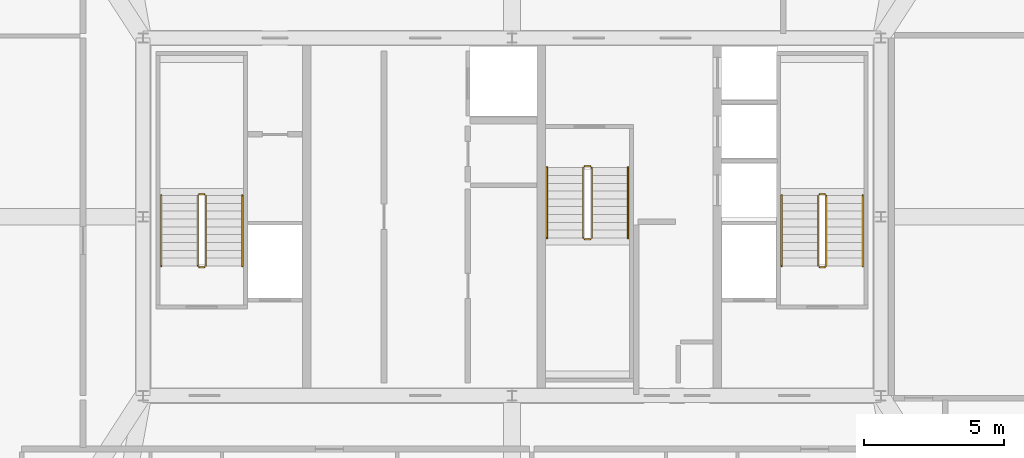
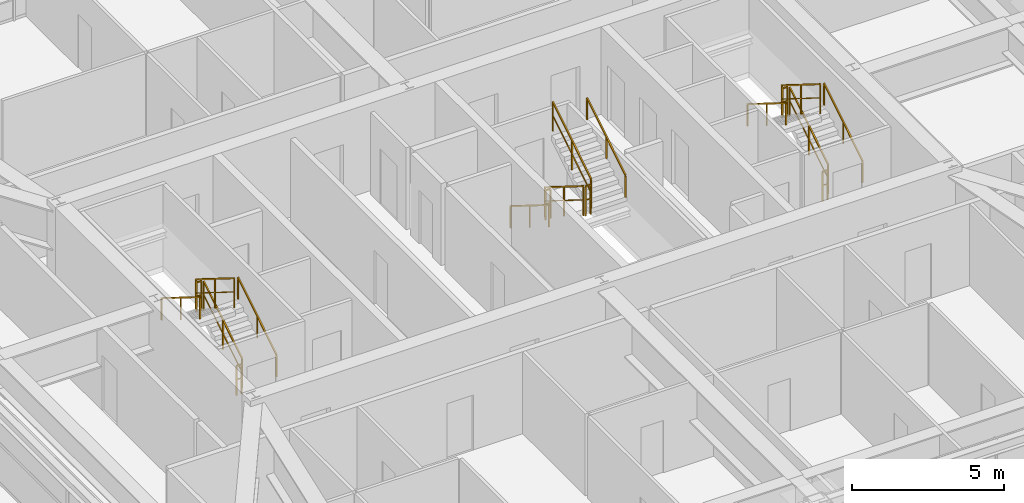
# One storey, part 33 of 33: 18 railings.
"""IFC4 building model written with IfcOpenShell, lengths in metres."""

from ifc_helpers import new_model, si_unit, direction, frame, origin, origin_2d, place, context, subcontext, project, spatial, rectangle, extrude, source, transform, mapped, material, layer, layer_set, type_object, element, save


model = new_model("IFC4")

# Units and contexts
model_context = context("Model", 3, precision=1e-05, world=origin(), true_north=direction((0.0, 1.0)))
body_context = subcontext(model_context, "Body", "Model", "MODEL_VIEW")
ifc_project = project(units=[si_unit("LENGTHUNIT", "METRE"), si_unit("AREAUNIT", "SQUARE_METRE"), si_unit("VOLUMEUNIT", "CUBIC_METRE"), si_unit("PLANEANGLEUNIT", "RADIAN"), si_unit("MASSUNIT", "GRAM", prefix="KILO"), si_unit("THERMODYNAMICTEMPERATUREUNIT", "KELVIN"), si_unit("POWERUNIT", "WATT")], contexts=[model_context])

# Site, building, storey
site_placement = place(None, origin())
site = spatial("IfcSite", under=ifc_project, at=site_placement, CompositionType="ELEMENT")
building_placement = place(site_placement, origin())
building = spatial("IfcBuilding", under=site, at=building_placement, Name="Yuzanri Waterfront Tower", CompositionType="ELEMENT")
storey_placement = place(building_placement, frame((0.0, 0.0, 282.10009765625)))
storey = spatial("IfcBuildingStorey", under=building, at=storey_placement, Name="L75", CompositionType="ELEMENT", Elevation=282.10009765625)

# Railings
ifc_material_1 = material(Name="Painted Galvanized Fire Steel", Category="steel")
ifc_layer_1 = layer(ifc_material_1, 0.06005859375)
ifc_layer_set_1 = layer_set([ifc_layer_1], Name="Painted Galvanized Fire Steel")
railing_type_1 = type_object("IfcRailingType", Name="Painted Steel Stairwell Guardrail 1120", PredefinedType="GUARDRAIL", material=ifc_layer_set_1)
shared_shape_1 = source(origin(), body_context, "Body", "SweptSolid", [
    extrude(rectangle(XDim=0.050048828125, YDim=0.050048828125, at=origin_2d()), frame((0.0, 0.0, 1.1748046875), z_axis=(-1.0, 0.0, 0.0), x_axis=(0.0, -1.0, 0.0)), (0.0, 0.0, 1.0), 0.199951171875),
    extrude(rectangle(XDim=0.035888671875, YDim=0.030029296875, at=origin_2d()), frame((0.0, 0.0, 0.6240234375), z_axis=(-1.0, 0.0, 0.0), x_axis=(0.0, -1.0, 0.0)), (0.0, 0.0, 1.0), 0.199951171875),
    extrude(rectangle(XDim=0.0458984375, YDim=0.0458984375, at=origin_2d()), origin(), (0.0, 0.0, 1.0), 1.14990234375),
    extrude(rectangle(XDim=0.0458984375, YDim=0.0458984375, at=origin_2d()), frame((-0.199951171875, 0.0, 0.0)), (0.0, 0.0, 1.0), 1.14990234375),
])
for number, where, name in (
    (1, (26.0, 26.610107421875, 1.75), "L75 ST-01 stair guard 2"),
    (2, (26.0, 23.989990234375, 0.0), "L75 ST-01 stair guard 4"),
    (3, (48.199951171875, 26.610107421875, 1.75), "L75 ST-02 stair guard 2"),
    (4, (48.199951171875, 23.989990234375, 0.0), "L75 ST-02 stair guard 4"),
):
    element("IfcRailing", number, at=place(storey_placement, frame(where)), inside=storey, type_object=railing_type_1, Name=name, PredefinedType="GUARDRAIL", context=body_context, shape_type="MappedRepresentation", body=[
        mapped(shared_shape_1, transform((0.0, 0.0, 0.0), scale=1.0)),
    ])
shared_shape_2 = source(origin(), body_context, "Body", "SweptSolid", [
    extrude(rectangle(XDim=0.050048828125, YDim=0.050048828125, at=origin_2d()), frame((0.0, 0.0, 1.1748046875), z_axis=(0.0, 0.847970611238, 0.530043245855), x_axis=(-1.0, 0.0, 0.0)), (0.0, 0.0, 1.0), 2.971923828125),
    extrude(rectangle(XDim=0.035888671875, YDim=0.030029296875, at=origin_2d()), frame((0.0, 0.0, 0.6240234375), z_axis=(0.0, 0.847970611238, 0.530043245855), x_axis=(-1.0, 0.0, 0.0)), (0.0, 0.0, 1.0), 2.971923828125),
    extrude(rectangle(XDim=0.0458984375, YDim=0.0458984375, at=origin_2d()), origin(), (0.0, 0.0, 1.0), 1.14990234375),
    extrude(rectangle(XDim=0.0458984375, YDim=0.0458984375, at=origin_2d()), frame((0.0, 1.260009765625, 0.78759765625)), (0.0, 0.0, 1.0), 1.14990234375),
    extrude(rectangle(XDim=0.0458984375, YDim=0.0458984375, at=origin_2d()), frame((0.0, 2.52001953125, 1.5751953125)), (0.0, 0.0, 1.0), 1.14990234375),
])
for number, where, name in (
    (5, (26.050048828125, 24.0400390625, 0.1748046875), "L75 ST-01 stair guard 1"),
    (6, (48.25, 24.0400390625, 0.1748046875), "L75 ST-02 stair guard 1"),
    (7, (39.85009765625, 25.0400390625, 1.9248046875), "L75 ST-03 stair guard 3"),
):
    element("IfcRailing", number, at=place(storey_placement, frame(where)), inside=storey, type_object=railing_type_1, Name=name, PredefinedType="GUARDRAIL", context=body_context, shape_type="MappedRepresentation", body=[
        mapped(shared_shape_2, transform((0.0, 0.0, 0.0), scale=1.0)),
    ])
shared_shape_3 = source(origin(), body_context, "Body", "SweptSolid", [
    extrude(rectangle(XDim=0.050048828125, YDim=0.050048828125, at=origin_2d()), frame((0.0, 0.0, 1.1748046875), z_axis=(0.0, -0.847970611238, 0.530043245855), x_axis=(1.0, 0.0, 0.0)), (0.0, 0.0, 1.0), 2.971923828125),
    extrude(rectangle(XDim=0.035888671875, YDim=0.030029296875, at=origin_2d()), frame((0.0, 0.0, 0.6240234375), z_axis=(0.0, -0.847970611238, 0.530043245855), x_axis=(1.0, 0.0, 0.0)), (0.0, 0.0, 1.0), 2.971923828125),
    extrude(rectangle(XDim=0.0458984375, YDim=0.0458984375, at=origin_2d()), origin(), (0.0, 0.0, 1.0), 1.14990234375),
    extrude(rectangle(XDim=0.0458984375, YDim=0.0458984375, at=origin_2d()), frame((0.0, -1.260009765625, 0.78759765625)), (0.0, 0.0, 1.0), 1.14990234375),
    extrude(rectangle(XDim=0.0458984375, YDim=0.0458984375, at=origin_2d()), frame((0.0, -2.52001953125, 1.5751953125)), (0.0, 0.0, 1.0), 1.14990234375),
])
for number, where, name in (
    (8, (25.75, 26.56005859375, 1.9248046875), "L75 ST-01 stair guard 3"),
    (9, (47.949951171875, 26.56005859375, 1.9248046875), "L75 ST-02 stair guard 3"),
    (10, (39.550048828125, 27.56005859375, 0.1748046875), "L75 ST-03 stair guard 1"),
):
    element("IfcRailing", number, at=place(storey_placement, frame(where)), inside=storey, type_object=railing_type_1, Name=name, PredefinedType="GUARDRAIL", context=body_context, shape_type="MappedRepresentation", body=[
        mapped(shared_shape_3, transform((0.0, 0.0, 0.0), scale=1.0)),
    ])
ifc_material_2 = material(Name="Anodized Architectural Bronze", Category="metal")
ifc_layer_2 = layer(ifc_material_2, 0.050048828125)
ifc_layer_set_2 = layer_set([ifc_layer_2], Name="Anodized Architectural Bronze")
railing_type_2 = type_object("IfcRailingType", Name="Brushed Bronze Stair Pitch Handrail 920", PredefinedType="HANDRAIL", material=ifc_layer_set_2)
shared_shape_4 = source(origin(), body_context, "Body", "SweptSolid", [
    extrude(rectangle(XDim=0.050048828125, YDim=0.050048828125, at=origin_2d()), frame((0.0, 0.0, 0.875), z_axis=(0.0, 0.847970611238, 0.530043245855), x_axis=(-1.0, 0.0, 0.0)), (0.0, 0.0, 1.0), 2.971923828125),
    extrude(rectangle(XDim=0.0458984375, YDim=0.0458984375, at=origin_2d()), origin(), (0.0, 0.0, 1.0), 0.849853515625),
    extrude(rectangle(XDim=0.0458984375, YDim=0.0458984375, at=origin_2d()), frame((0.0, 1.260009765625, 0.78759765625)), (0.0, 0.0, 1.0), 0.849853515625),
    extrude(rectangle(XDim=0.0458984375, YDim=0.0458984375, at=origin_2d()), frame((0.0, 2.52001953125, 1.5751953125)), (0.0, 0.0, 1.0), 0.849853515625),
])
for number, where, name in (
    (11, (27.35009765625, 24.0400390625, 0.1748046875), "L75 ST-01 stair handrail 1"),
    (12, (49.550048828125, 24.0400390625, 0.1748046875), "L75 ST-02 stair handrail 1"),
    (13, (41.14990234375, 25.0400390625, 1.9248046875), "L75 ST-03 stair handrail 2"),
):
    element("IfcRailing", number, at=place(storey_placement, frame(where)), inside=storey, type_object=railing_type_2, Name=name, PredefinedType="HANDRAIL", context=body_context, shape_type="MappedRepresentation", body=[
        mapped(shared_shape_4, transform((0.0, 0.0, 0.0), scale=1.0)),
    ])
shared_shape_5 = source(origin(), body_context, "Body", "SweptSolid", [
    extrude(rectangle(XDim=0.050048828125, YDim=0.050048828125, at=origin_2d()), frame((0.0, 0.0, 0.875), z_axis=(0.0, -0.847970611238, 0.530043245855), x_axis=(1.0, 0.0, 0.0)), (0.0, 0.0, 1.0), 2.971923828125),
    extrude(rectangle(XDim=0.0458984375, YDim=0.0458984375, at=origin_2d()), origin(), (0.0, 0.0, 1.0), 0.849853515625),
    extrude(rectangle(XDim=0.0458984375, YDim=0.0458984375, at=origin_2d()), frame((0.0, -1.260009765625, 0.78759765625)), (0.0, 0.0, 1.0), 0.849853515625),
    extrude(rectangle(XDim=0.0458984375, YDim=0.0458984375, at=origin_2d()), frame((0.0, -2.52001953125, 1.5751953125)), (0.0, 0.0, 1.0), 0.849853515625),
])
for number, where, name in (
    (14, (24.449951171875, 26.56005859375, 1.9248046875), "L75 ST-01 stair handrail 2"),
    (15, (46.64990234375, 26.56005859375, 1.9248046875), "L75 ST-02 stair handrail 2"),
    (16, (38.25, 27.56005859375, 0.1748046875), "L75 ST-03 stair handrail 1"),
):
    element("IfcRailing", number, at=place(storey_placement, frame(where)), inside=storey, type_object=railing_type_2, Name=name, PredefinedType="HANDRAIL", context=body_context, shape_type="MappedRepresentation", body=[
        mapped(shared_shape_5, transform((0.0, 0.0, 0.0), scale=1.0)),
    ])
shared_shape_6 = source(origin(), body_context, "Body", "SweptSolid", [
    extrude(rectangle(XDim=0.050048828125, YDim=0.050048828125, at=origin_2d()), frame((0.0, 0.0, 1.1748046875), z_axis=(1.0, 0.0, 0.0), x_axis=(0.0, 1.0, 0.0)), (0.0, 0.0, 1.0), 0.199951171875),
    extrude(rectangle(XDim=0.035888671875, YDim=0.030029296875, at=origin_2d()), frame((0.0, 0.0, 0.6240234375), z_axis=(1.0, 0.0, 0.0), x_axis=(0.0, 1.0, 0.0)), (0.0, 0.0, 1.0), 0.199951171875),
    extrude(rectangle(XDim=0.0458984375, YDim=0.0458984375, at=origin_2d()), origin(), (0.0, 0.0, 1.0), 1.14990234375),
    extrude(rectangle(XDim=0.0458984375, YDim=0.0458984375, at=origin_2d()), frame((0.199951171875, 0.0, 0.0)), (0.0, 0.0, 1.0), 1.14990234375),
])
for number, where, name in (
    (17, (39.60009765625, 24.989990234375, 1.75), "L75 ST-03 stair guard 2"),
    (18, (39.60009765625, 27.610107421875, 0.0), "L75 ST-03 stair guard 4"),
):
    element("IfcRailing", number, at=place(storey_placement, frame(where)), inside=storey, type_object=railing_type_1, Name=name, PredefinedType="GUARDRAIL", context=body_context, shape_type="MappedRepresentation", body=[
        mapped(shared_shape_6, transform((0.0, 0.0, 0.0), scale=1.0)),
    ])

save(model, "model.ifc")
